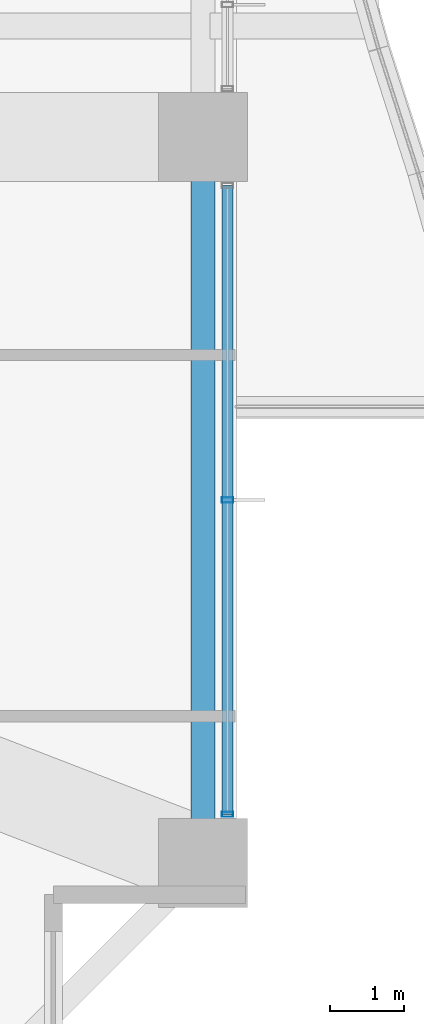
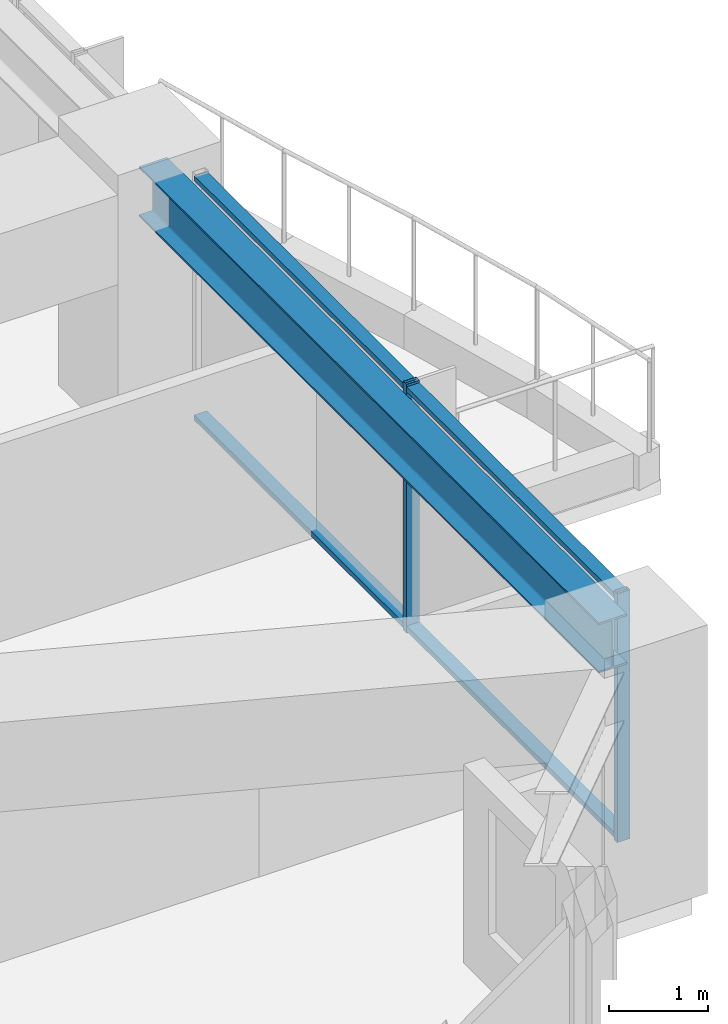
# One storey, part 13 of 39: 4 members, 1 beam, 1 element without a shape of its own.
"""IFC4 building model written with IfcOpenShell, lengths in metres."""

from ifc_helpers import new_model, si_unit, direction, frame, origin, origin_2d, place, context, subcontext, project, spatial, hollow_rectangle, i_section, extrude, material, material_profile, profile_set, type_object, element, aggregate, save


model = new_model("IFC4")

# Units and contexts
model_context = context("Model", 3, precision=1e-05, world=origin(), true_north=direction((0.0, 1.0)))
body_context = subcontext(model_context, "Body", "Model", "MODEL_VIEW")
ifc_project = project(units=[si_unit("LENGTHUNIT", "METRE"), si_unit("AREAUNIT", "SQUARE_METRE"), si_unit("VOLUMEUNIT", "CUBIC_METRE"), si_unit("PLANEANGLEUNIT", "RADIAN"), si_unit("MASSUNIT", "GRAM", prefix="KILO")], contexts=[model_context])

# Site, building, storey
site_placement = place(None, origin())
site = spatial("IfcSite", under=ifc_project, at=site_placement, CompositionType="ELEMENT")
building_placement = place(site_placement, origin())
building = spatial("IfcBuilding", under=site, at=building_placement, Name="Kolvaren Belvedere", CompositionType="ELEMENT")
storey_placement = place(building_placement, frame((0.0, 0.0, 33.699951171875)))
storey = spatial("IfcBuildingStorey", under=building, at=storey_placement, Name="L09", CompositionType="ELEMENT", Elevation=33.699951171875)

# Beam
ifc_material_1 = material(Name="Structural steel ASTM A992 Grade 50", Category="steel")
ifc_material_profile_1 = material_profile(ifc_material_1, i_section(OverallWidth=0.324951171875, OverallDepth=0.615966796875, WebThickness=0.013916015625, FlangeThickness=0.021484375, FilletRadius=0.02001953125, at=origin_2d()), Name="W24X117")
ifc_profile_set_1 = profile_set([ifc_material_profile_1], Name="Structural steel ASTM A992 Grade 50")
beam_type = type_object("IfcBeamType", Name="BM-SPAN-W24X117", PredefinedType="SPANDREL", material=ifc_profile_set_1)
beam_placement = place(storey_placement, frame((21.550048828125, -14.1298828125, 2.751953125), z_axis=(0.0, 1.0, 0.0), x_axis=(-1.0, 0.0, 0.0)))
element("IfcBeam", 1, at=beam_placement, inside=storey, type_object=beam_type, Name="L09 Perimeter Spandrel E1-E2", PredefinedType="SPANDREL", context=body_context, shape_type="SweptSolid", body=[
    extrude(i_section(OverallWidth=0.324951171875, OverallDepth=0.615966796875, WebThickness=0.013916015625, FlangeThickness=0.021484375, FilletRadius=0.02001953125, at=origin_2d()), origin(), (0.0, 0.0, 1.0), 9.259765625),
])

# Curtain wall, members
ifc_material_2 = material(Name="Anodised pale-metal aluminium AA 6063-T6", Category="aluminium")
curtain_wall_type = type_object("IfcCurtainWallType", Name="CW-Z1-LOW", PredefinedType="NOTDEFINED", material=ifc_material_2)
curtain_wall_placement = place(storey_placement, origin())
curtain_wall = element("IfcCurtainWall", 2, at=curtain_wall_placement, inside=storey, type_object=curtain_wall_type, Name="L09 Unitised Curtain Wall FCW-L09-E2-B2", PredefinedType="NOTDEFINED")
ifc_material_3 = material(Name="Anodised pale-metal aluminium AA 6063-T6", Category="aluminium")
ifc_material_profile_2 = material_profile(ifc_material_3, hollow_rectangle(XDim=0.070068359375, YDim=0.14990234375, WallThickness=0.004150390625, at=origin_2d()), Name="ALU-MUL-150X70")
ifc_profile_set_2 = profile_set([ifc_material_profile_2], Name="Anodised pale-metal aluminium AA 6063-T6")
member_type_1 = type_object("IfcMemberType", Name="CW-MUL-150", PredefinedType="MULLION", material=ifc_profile_set_2)
member_1_placement = place(storey_placement, frame((21.8798828125, -9.5, 0.0), z_axis=(0.0, 0.0, 1.0), x_axis=(0.0, 1.0, 0.0)))
member_1 = element("IfcMember", 3, at=member_1_placement, type_object=member_type_1, Name="FCW-L09-E2-B2 Unitised Mullion 2", PredefinedType="MULLION", context=body_context, shape_type="SweptSolid", body=[
    extrude(hollow_rectangle(XDim=0.070068359375, YDim=0.14990234375, WallThickness=0.004150390625, at=origin_2d()), origin(), (0.0, 0.0, 1.0), 3.06005859375),
])
member_2_placement = place(storey_placement, frame((21.8798828125, -13.7451171875, 0.0), z_axis=(0.0, 0.0, 1.0), x_axis=(0.0, 1.0, 0.0)))
member_2 = element("IfcMember", 4, at=member_2_placement, type_object=member_type_1, Name="FCW-L09-E2-B2 Unitised Mullion 3", PredefinedType="MULLION", context=body_context, shape_type="SweptSolid", body=[
    extrude(hollow_rectangle(XDim=0.070068359375, YDim=0.14990234375, WallThickness=0.004150390625, at=origin_2d()), origin(), (0.0, 0.0, 1.0), 3.06005859375),
])
ifc_material_4 = material(Name="Anodised pale-metal aluminium AA 6063-T6", Category="aluminium")
ifc_material_profile_3 = material_profile(ifc_material_4, hollow_rectangle(XDim=0.06494140625, YDim=0.14990234375, WallThickness=0.00390625, at=origin_2d()), Name="ALU-TRN-150X65")
ifc_profile_set_3 = profile_set([ifc_material_profile_3], Name="Anodised pale-metal aluminium AA 6063-T6")
member_type_2 = type_object("IfcMemberType", Name="CW-TRN-150", PredefinedType="USERDEFINED", material=ifc_profile_set_3)
member_3_placement = place(storey_placement, frame((21.8798828125, -5.2548828125, 0.06005859375), z_axis=(0.0, -1.0, 0.0), x_axis=(0.0, 0.0, 1.0)))
member_3 = element("IfcMember", 5, at=member_3_placement, type_object=member_type_2, Name="FCW-L09-E2-B2 Sill Transom", ObjectType="TRANSOM", PredefinedType="USERDEFINED", context=body_context, shape_type="SweptSolid", body=[
    extrude(hollow_rectangle(XDim=0.06494140625, YDim=0.14990234375, WallThickness=0.00390625, at=origin_2d()), origin(), (0.0, 0.0, 1.0), 8.490234375),
])
member_4_placement = place(storey_placement, frame((21.8798828125, -5.2548828125, 3.0), z_axis=(0.0, -1.0, 0.0), x_axis=(0.0, 0.0, 1.0)))
member_4 = element("IfcMember", 6, at=member_4_placement, type_object=member_type_2, Name="FCW-L09-E2-B2 Head Transom", ObjectType="TRANSOM", PredefinedType="USERDEFINED", context=body_context, shape_type="SweptSolid", body=[
    extrude(hollow_rectangle(XDim=0.06494140625, YDim=0.14990234375, WallThickness=0.00390625, at=origin_2d()), origin(), (0.0, 0.0, 1.0), 8.490234375),
])
aggregate(curtain_wall, [member_1, member_2, member_3, member_4])

save(model, "model.ifc")
